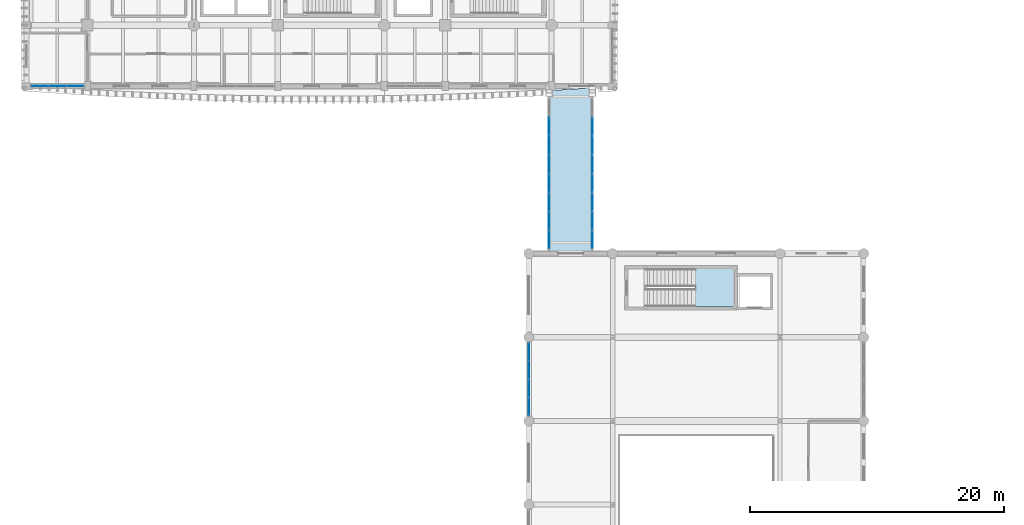
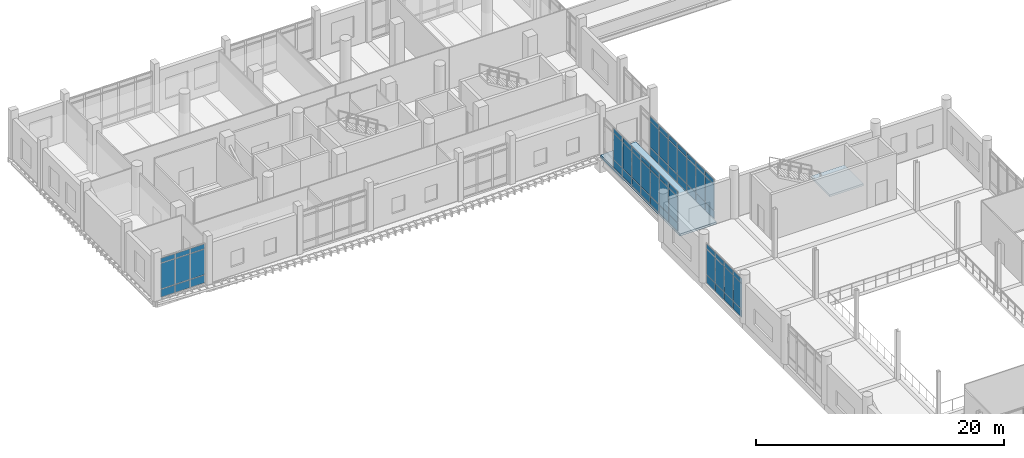
# One storey, part 51 of 101: 63 plates, 2 slabs, 5 elements without a shape of their own.
"""IFC4 building model written with IfcOpenShell, lengths in metres."""

from ifc_helpers import new_model, si_unit, direction, frame, origin, origin_2d, place, context, subcontext, project, spatial, polyline, rectangle, outline, extrude, material, layer, layer_set, type_object, element, aggregate, save


model = new_model("IFC4")

# Units and contexts
model_context = context("Model", 3, precision=1e-05, world=origin(), true_north=direction((0.0, 1.0)))
body_context = subcontext(model_context, "Body", "Model", "MODEL_VIEW")
ifc_project = project(units=[si_unit("LENGTHUNIT", "METRE"), si_unit("AREAUNIT", "SQUARE_METRE"), si_unit("VOLUMEUNIT", "CUBIC_METRE"), si_unit("PLANEANGLEUNIT", "RADIAN"), si_unit("MASSUNIT", "GRAM", prefix="KILO")], contexts=[model_context])

# Site, building, storey
site_placement = place(None, origin())
site = spatial("IfcSite", under=ifc_project, at=site_placement, CompositionType="ELEMENT")
building_placement = place(site_placement, origin())
building = spatial("IfcBuilding", under=site, at=building_placement, Name="Dornvale Research Institute", CompositionType="ELEMENT")
storey_placement = place(building_placement, frame((0.0, 0.0, 10.199951171875)))
storey = spatial("IfcBuildingStorey", under=building, at=storey_placement, Name="L02", CompositionType="ELEMENT", Elevation=10.199951171875)

# Curtain wall, plates
ifc_material_1 = material(Name="Low-E Argon Double Insulating Glazing Unit", Category="glass")
curtain_wall_type_1 = type_object("IfcCurtainWallType", Name="UnitisedCurtainWall_V2_5810x3950", PredefinedType="USERDEFINED", material=ifc_material_1)
curtain_wall_1_placement = place(storey_placement, origin())
curtain_wall_1 = element("IfcCurtainWall", 1, at=curtain_wall_1_placement, inside=storey, type_object=curtain_wall_type_1, Name="L02 V2 unitised curtain wall CW-02 #11", ObjectType="UNITISED CURTAIN WALL", PredefinedType="USERDEFINED")
ifc_material_2 = material(Name="Insulated Ceramic-Frit Spandrel Glass Panel", Category="glass")
ifc_layer_1 = layer(ifc_material_2, 0.0419921875)
ifc_layer_set_1 = layer_set([ifc_layer_1], Name="Insulated Ceramic-Frit Spandrel Glass Panel")
plate_type_1 = type_object("IfcPlateType", Name="CurtainPanel_Spandrel_42", PredefinedType="CURTAIN_PANEL", material=ifc_layer_set_1)
plate_1_placement = place(storey_placement, frame((39.60009765625, 73.737548828125, 0.065185546875), z_axis=(0.0, 0.0, 1.0), x_axis=(0.0, 1.0, 0.0)))
plate_1 = element("IfcPlate", 2, at=plate_1_placement, type_object=plate_type_1, Name="CW-02 panel 1.1", PredefinedType="CURTAIN_PANEL", context=body_context, shape_type="SweptSolid", body=[
    extrude(rectangle(XDim=1.35498046875, YDim=0.0419921875, at=origin_2d()), origin(), (0.0, 0.0, 1.0), 0.75244140625),
])
plate_2_placement = place(storey_placement, frame((39.60009765625, 75.173828125, 0.065185546875), z_axis=(0.0, 0.0, 1.0), x_axis=(0.0, 1.0, 0.0)))
plate_2 = element("IfcPlate", 3, at=plate_2_placement, type_object=plate_type_1, Name="CW-02 panel 2.1", PredefinedType="CURTAIN_PANEL", context=body_context, shape_type="SweptSolid", body=[
    extrude(rectangle(XDim=1.387451171875, YDim=0.0419921875, at=origin_2d()), origin(), (0.0, 0.0, 1.0), 0.75244140625),
])
plate_3_placement = place(storey_placement, frame((39.60009765625, 76.626220703125, 0.065185546875), z_axis=(0.0, 0.0, 1.0), x_axis=(0.0, 1.0, 0.0)))
plate_3 = element("IfcPlate", 4, at=plate_3_placement, type_object=plate_type_1, Name="CW-02 panel 3.1", PredefinedType="CURTAIN_PANEL", context=body_context, shape_type="SweptSolid", body=[
    extrude(rectangle(XDim=1.387451171875, YDim=0.0419921875, at=origin_2d()), origin(), (0.0, 0.0, 1.0), 0.75244140625),
])
plate_4_placement = place(storey_placement, frame((39.60009765625, 78.0625, 0.065185546875), z_axis=(0.0, 0.0, 1.0), x_axis=(0.0, 1.0, 0.0)))
plate_4 = element("IfcPlate", 5, at=plate_4_placement, type_object=plate_type_1, Name="CW-02 panel 4.1", PredefinedType="CURTAIN_PANEL", context=body_context, shape_type="SweptSolid", body=[
    extrude(rectangle(XDim=1.35498046875, YDim=0.0419921875, at=origin_2d()), origin(), (0.0, 0.0, 1.0), 0.75244140625),
])

ifc_material_3 = material(Name="Low-E Argon Double Insulating Glazing Unit", Category="glass")
curtain_wall_type_2 = type_object("IfcCurtainWallType", Name="UnitisedCurtainWall_V5_4200x3950", PredefinedType="USERDEFINED", material=ifc_material_3)
curtain_wall_2_placement = place(storey_placement, origin())
curtain_wall_2 = element("IfcCurtainWall", 6, at=curtain_wall_2_placement, inside=storey, type_object=curtain_wall_type_2, Name="L02 V5 unitised curtain wall CW-27 #147", ObjectType="UNITISED CURTAIN WALL", PredefinedType="USERDEFINED")
plate_5_placement = place(storey_placement, frame((3.833740234375, 99.0, 0.065185546875), z_axis=(0.0, 0.0, 1.0), x_axis=(-1.0, 0.0, 0.0)))
plate_5 = element("IfcPlate", 7, at=plate_5_placement, type_object=plate_type_1, Name="CW-27 panel 1.1", PredefinedType="CURTAIN_PANEL", context=body_context, shape_type="SweptSolid", body=[
    extrude(rectangle(XDim=1.302490234375, YDim=0.0419921875, at=origin_2d()), origin(), (0.0, 0.0, 1.0), 0.75244140625),
])
plate_6_placement = place(storey_placement, frame((2.449951171875, 99.0, 0.065185546875), z_axis=(0.0, 0.0, 1.0), x_axis=(-1.0, 0.0, 0.0)))
plate_6 = element("IfcPlate", 8, at=plate_6_placement, type_object=plate_type_1, Name="CW-27 panel 2.1", PredefinedType="CURTAIN_PANEL", context=body_context, shape_type="SweptSolid", body=[
    extrude(rectangle(XDim=1.3349609375, YDim=0.0419921875, at=origin_2d()), origin(), (0.0, 0.0, 1.0), 0.75244140625),
])
plate_7_placement = place(storey_placement, frame((1.066162109375, 99.0, 0.065185546875), z_axis=(0.0, 0.0, 1.0), x_axis=(-1.0, 0.0, 0.0)))
plate_7 = element("IfcPlate", 9, at=plate_7_placement, type_object=plate_type_1, Name="CW-27 panel 3.1", PredefinedType="CURTAIN_PANEL", context=body_context, shape_type="SweptSolid", body=[
    extrude(rectangle(XDim=1.302490234375, YDim=0.0419921875, at=origin_2d()), origin(), (0.0, 0.0, 1.0), 0.75244140625),
])

ifc_material_4 = material(Name="Low-E Argon Double Insulating Glazing Unit", Category="glass")
curtain_wall_type_3 = type_object("IfcCurtainWallType", Name="UnitisedCurtainWall_V2_11900x4000", PredefinedType="USERDEFINED", material=ifc_material_4)
curtain_wall_3_placement = place(storey_placement, origin())
curtain_wall_3 = element("IfcCurtainWall", 10, at=curtain_wall_3_placement, inside=storey, type_object=curtain_wall_type_3, Name="L02 V2 unitised curtain wall CW-40 #209", ObjectType="UNITISED CURTAIN WALL", PredefinedType="USERDEFINED")
plate_8_placement = place(storey_placement, frame((41.199951171875, 86.909912109375, 0.065185546875), z_axis=(0.0, 0.0, 1.0), x_axis=(0.0, 1.0, 0.0)))
plate_8 = element("IfcPlate", 11, at=plate_8_placement, type_object=plate_type_1, Name="CW-40 panel 1.1", PredefinedType="CURTAIN_PANEL", context=body_context, shape_type="SweptSolid", body=[
    extrude(rectangle(XDim=1.389892578125, YDim=0.0419921875, at=origin_2d()), origin(), (0.0, 0.0, 1.0), 0.75244140625),
])
plate_9_placement = place(storey_placement, frame((41.199951171875, 88.38134765625, 0.065185546875), z_axis=(0.0, 0.0, 1.0), x_axis=(0.0, 1.0, 0.0)))
plate_9 = element("IfcPlate", 12, at=plate_9_placement, type_object=plate_type_1, Name="CW-40 panel 2.1", PredefinedType="CURTAIN_PANEL", context=body_context, shape_type="SweptSolid", body=[
    extrude(rectangle(XDim=1.422607421875, YDim=0.0419921875, at=origin_2d()), origin(), (0.0, 0.0, 1.0), 0.75244140625),
])
plate_10_placement = place(storey_placement, frame((41.199951171875, 89.86865234375, 0.065185546875), z_axis=(0.0, 0.0, 1.0), x_axis=(0.0, 1.0, 0.0)))
plate_10 = element("IfcPlate", 13, at=plate_10_placement, type_object=plate_type_1, Name="CW-40 panel 3.1", PredefinedType="CURTAIN_PANEL", context=body_context, shape_type="SweptSolid", body=[
    extrude(rectangle(XDim=1.422607421875, YDim=0.0419921875, at=origin_2d()), origin(), (0.0, 0.0, 1.0), 0.75244140625),
])
plate_11_placement = place(storey_placement, frame((41.199951171875, 91.356201171875, 0.065185546875), z_axis=(0.0, 0.0, 1.0), x_axis=(0.0, 1.0, 0.0)))
plate_11 = element("IfcPlate", 14, at=plate_11_placement, type_object=plate_type_1, Name="CW-40 panel 4.1", PredefinedType="CURTAIN_PANEL", context=body_context, shape_type="SweptSolid", body=[
    extrude(rectangle(XDim=1.422607421875, YDim=0.0419921875, at=origin_2d()), origin(), (0.0, 0.0, 1.0), 0.75244140625),
])
plate_12_placement = place(storey_placement, frame((41.199951171875, 92.84375, 0.065185546875), z_axis=(0.0, 0.0, 1.0), x_axis=(0.0, 1.0, 0.0)))
plate_12 = element("IfcPlate", 15, at=plate_12_placement, type_object=plate_type_1, Name="CW-40 panel 5.1", PredefinedType="CURTAIN_PANEL", context=body_context, shape_type="SweptSolid", body=[
    extrude(rectangle(XDim=1.422607421875, YDim=0.0419921875, at=origin_2d()), origin(), (0.0, 0.0, 1.0), 0.75244140625),
])
plate_13_placement = place(storey_placement, frame((41.199951171875, 94.331298828125, 0.065185546875), z_axis=(0.0, 0.0, 1.0), x_axis=(0.0, 1.0, 0.0)))
plate_13 = element("IfcPlate", 16, at=plate_13_placement, type_object=plate_type_1, Name="CW-40 panel 6.1", PredefinedType="CURTAIN_PANEL", context=body_context, shape_type="SweptSolid", body=[
    extrude(rectangle(XDim=1.422607421875, YDim=0.0419921875, at=origin_2d()), origin(), (0.0, 0.0, 1.0), 0.75244140625),
])
plate_14_placement = place(storey_placement, frame((41.199951171875, 95.81884765625, 0.065185546875), z_axis=(0.0, 0.0, 1.0), x_axis=(0.0, 1.0, 0.0)))
plate_14 = element("IfcPlate", 17, at=plate_14_placement, type_object=plate_type_1, Name="CW-40 panel 7.1", PredefinedType="CURTAIN_PANEL", context=body_context, shape_type="SweptSolid", body=[
    extrude(rectangle(XDim=1.422607421875, YDim=0.0419921875, at=origin_2d()), origin(), (0.0, 0.0, 1.0), 0.75244140625),
])

curtain_wall_4_placement = place(storey_placement, origin())
curtain_wall_4 = element("IfcCurtainWall", 18, at=curtain_wall_4_placement, inside=storey, type_object=curtain_wall_type_3, Name="L02 V2 unitised curtain wall CW-40 #210", ObjectType="UNITISED CURTAIN WALL", PredefinedType="USERDEFINED")
plate_15_placement = place(storey_placement, frame((44.60009765625, 95.81884765625, 0.065185546875), z_axis=(0.0, 0.0, 1.0), x_axis=(0.0, -1.0, 0.0)))
plate_15 = element("IfcPlate", 19, at=plate_15_placement, type_object=plate_type_1, Name="CW-40 panel 2.1", PredefinedType="CURTAIN_PANEL", context=body_context, shape_type="SweptSolid", body=[
    extrude(rectangle(XDim=1.422607421875, YDim=0.0419921875, at=origin_2d()), origin(), (0.0, 0.0, 1.0), 0.75244140625),
])
plate_16_placement = place(storey_placement, frame((44.60009765625, 94.331298828125, 0.065185546875), z_axis=(0.0, 0.0, 1.0), x_axis=(0.0, -1.0, 0.0)))
plate_16 = element("IfcPlate", 20, at=plate_16_placement, type_object=plate_type_1, Name="CW-40 panel 3.1", PredefinedType="CURTAIN_PANEL", context=body_context, shape_type="SweptSolid", body=[
    extrude(rectangle(XDim=1.422607421875, YDim=0.0419921875, at=origin_2d()), origin(), (0.0, 0.0, 1.0), 0.75244140625),
])
plate_17_placement = place(storey_placement, frame((44.60009765625, 92.84375, 0.065185546875), z_axis=(0.0, 0.0, 1.0), x_axis=(0.0, -1.0, 0.0)))
plate_17 = element("IfcPlate", 21, at=plate_17_placement, type_object=plate_type_1, Name="CW-40 panel 4.1", PredefinedType="CURTAIN_PANEL", context=body_context, shape_type="SweptSolid", body=[
    extrude(rectangle(XDim=1.422607421875, YDim=0.0419921875, at=origin_2d()), origin(), (0.0, 0.0, 1.0), 0.75244140625),
])
plate_18_placement = place(storey_placement, frame((44.60009765625, 91.356201171875, 0.065185546875), z_axis=(0.0, 0.0, 1.0), x_axis=(0.0, -1.0, 0.0)))
plate_18 = element("IfcPlate", 22, at=plate_18_placement, type_object=plate_type_1, Name="CW-40 panel 5.1", PredefinedType="CURTAIN_PANEL", context=body_context, shape_type="SweptSolid", body=[
    extrude(rectangle(XDim=1.422607421875, YDim=0.0419921875, at=origin_2d()), origin(), (0.0, 0.0, 1.0), 0.75244140625),
])
plate_19_placement = place(storey_placement, frame((44.60009765625, 89.86865234375, 0.065185546875), z_axis=(0.0, 0.0, 1.0), x_axis=(0.0, -1.0, 0.0)))
plate_19 = element("IfcPlate", 23, at=plate_19_placement, type_object=plate_type_1, Name="CW-40 panel 6.1", PredefinedType="CURTAIN_PANEL", context=body_context, shape_type="SweptSolid", body=[
    extrude(rectangle(XDim=1.422607421875, YDim=0.0419921875, at=origin_2d()), origin(), (0.0, 0.0, 1.0), 0.75244140625),
])
plate_20_placement = place(storey_placement, frame((44.60009765625, 88.38134765625, 0.065185546875), z_axis=(0.0, 0.0, 1.0), x_axis=(0.0, -1.0, 0.0)))
plate_20 = element("IfcPlate", 24, at=plate_20_placement, type_object=plate_type_1, Name="CW-40 panel 7.1", PredefinedType="CURTAIN_PANEL", context=body_context, shape_type="SweptSolid", body=[
    extrude(rectangle(XDim=1.422607421875, YDim=0.0419921875, at=origin_2d()), origin(), (0.0, 0.0, 1.0), 0.75244140625),
])
plate_21_placement = place(storey_placement, frame((44.60009765625, 86.909912109375, 0.065185546875), z_axis=(0.0, 0.0, 1.0), x_axis=(0.0, -1.0, 0.0)))
plate_21 = element("IfcPlate", 25, at=plate_21_placement, type_object=plate_type_1, Name="CW-40 panel 8.1", PredefinedType="CURTAIN_PANEL", context=body_context, shape_type="SweptSolid", body=[
    extrude(rectangle(XDim=1.389892578125, YDim=0.0419921875, at=origin_2d()), origin(), (0.0, 0.0, 1.0), 0.75244140625),
])

# Plate
ifc_material_5 = material(Name="Low-E Argon Double Insulating Glazing Unit", Category="glass")
ifc_layer_2 = layer(ifc_material_5, 0.028076171875)
ifc_layer_set_2 = layer_set([ifc_layer_2], Name="Low-E Argon Double Insulating Glazing Unit")
plate_type_2 = type_object("IfcPlateType", Name="CurtainPanel_Vision_28", PredefinedType="CURTAIN_PANEL", material=ifc_layer_set_2)
plate_22_placement = place(storey_placement, frame((39.60009765625, 73.737548828125, 0.88232421875), z_axis=(0.0, 0.0, 1.0), x_axis=(0.0, 1.0, 0.0)))
plate_22 = element("IfcPlate", 26, at=plate_22_placement, type_object=plate_type_2, Name="CW-02 panel 1.2", PredefinedType="CURTAIN_PANEL", context=body_context, shape_type="SweptSolid", body=[
    extrude(rectangle(XDim=1.35498046875, YDim=0.028076171875, at=origin_2d()), origin(), (0.0, 0.0, 1.0), 2.485107421875),
])

plate_23_placement = place(storey_placement, frame((39.60009765625, 73.737548828125, 3.4326171875), z_axis=(0.0, 0.0, 1.0), x_axis=(0.0, 1.0, 0.0)))
plate_23 = element("IfcPlate", 27, at=plate_23_placement, type_object=plate_type_2, Name="CW-02 panel 1.3", PredefinedType="CURTAIN_PANEL", context=body_context, shape_type="SweptSolid", body=[
    extrude(rectangle(XDim=1.35498046875, YDim=0.028076171875, at=origin_2d()), origin(), (0.0, 0.0, 1.0), 0.452392578125),
])

plate_24_placement = place(storey_placement, frame((39.60009765625, 75.173828125, 0.88232421875), z_axis=(0.0, 0.0, 1.0), x_axis=(0.0, 1.0, 0.0)))
plate_24 = element("IfcPlate", 28, at=plate_24_placement, type_object=plate_type_2, Name="CW-02 panel 2.2", PredefinedType="CURTAIN_PANEL", context=body_context, shape_type="SweptSolid", body=[
    extrude(rectangle(XDim=1.387451171875, YDim=0.028076171875, at=origin_2d()), origin(), (0.0, 0.0, 1.0), 2.485107421875),
])

plate_25_placement = place(storey_placement, frame((39.60009765625, 75.173828125, 3.4326171875), z_axis=(0.0, 0.0, 1.0), x_axis=(0.0, 1.0, 0.0)))
plate_25 = element("IfcPlate", 29, at=plate_25_placement, type_object=plate_type_2, Name="CW-02 panel 2.3", PredefinedType="CURTAIN_PANEL", context=body_context, shape_type="SweptSolid", body=[
    extrude(rectangle(XDim=1.387451171875, YDim=0.028076171875, at=origin_2d()), origin(), (0.0, 0.0, 1.0), 0.452392578125),
])

plate_26_placement = place(storey_placement, frame((39.60009765625, 76.626220703125, 0.88232421875), z_axis=(0.0, 0.0, 1.0), x_axis=(0.0, 1.0, 0.0)))
plate_26 = element("IfcPlate", 30, at=plate_26_placement, type_object=plate_type_2, Name="CW-02 panel 3.2", PredefinedType="CURTAIN_PANEL", context=body_context, shape_type="SweptSolid", body=[
    extrude(rectangle(XDim=1.387451171875, YDim=0.028076171875, at=origin_2d()), origin(), (0.0, 0.0, 1.0), 2.485107421875),
])

plate_27_placement = place(storey_placement, frame((39.60009765625, 76.626220703125, 3.4326171875), z_axis=(0.0, 0.0, 1.0), x_axis=(0.0, 1.0, 0.0)))
plate_27 = element("IfcPlate", 31, at=plate_27_placement, type_object=plate_type_2, Name="CW-02 panel 3.3", PredefinedType="CURTAIN_PANEL", context=body_context, shape_type="SweptSolid", body=[
    extrude(rectangle(XDim=1.387451171875, YDim=0.028076171875, at=origin_2d()), origin(), (0.0, 0.0, 1.0), 0.452392578125),
])

plate_28_placement = place(storey_placement, frame((39.60009765625, 78.0625, 0.88232421875), z_axis=(0.0, 0.0, 1.0), x_axis=(0.0, 1.0, 0.0)))
plate_28 = element("IfcPlate", 32, at=plate_28_placement, type_object=plate_type_2, Name="CW-02 panel 4.2", PredefinedType="CURTAIN_PANEL", context=body_context, shape_type="SweptSolid", body=[
    extrude(rectangle(XDim=1.35498046875, YDim=0.028076171875, at=origin_2d()), origin(), (0.0, 0.0, 1.0), 2.485107421875),
])

plate_29_placement = place(storey_placement, frame((39.60009765625, 78.0625, 3.4326171875), z_axis=(0.0, 0.0, 1.0), x_axis=(0.0, 1.0, 0.0)))
plate_29 = element("IfcPlate", 33, at=plate_29_placement, type_object=plate_type_2, Name="CW-02 panel 4.3", PredefinedType="CURTAIN_PANEL", context=body_context, shape_type="SweptSolid", body=[
    extrude(rectangle(XDim=1.35498046875, YDim=0.028076171875, at=origin_2d()), origin(), (0.0, 0.0, 1.0), 0.452392578125),
])

aggregate(curtain_wall_1, [plate_1, plate_22, plate_23, plate_2, plate_24, plate_25, plate_3, plate_26, plate_27, plate_4, plate_28, plate_29])

plate_30_placement = place(storey_placement, frame((3.833740234375, 99.0, 0.88232421875), z_axis=(0.0, 0.0, 1.0), x_axis=(-1.0, 0.0, 0.0)))
plate_30 = element("IfcPlate", 34, at=plate_30_placement, type_object=plate_type_2, Name="CW-27 panel 1.2", PredefinedType="CURTAIN_PANEL", context=body_context, shape_type="SweptSolid", body=[
    extrude(rectangle(XDim=1.302490234375, YDim=0.028076171875, at=origin_2d()), origin(), (0.0, 0.0, 1.0), 2.485107421875),
])

plate_31_placement = place(storey_placement, frame((3.833740234375, 99.0, 3.4326171875), z_axis=(0.0, 0.0, 1.0), x_axis=(-1.0, 0.0, 0.0)))
plate_31 = element("IfcPlate", 35, at=plate_31_placement, type_object=plate_type_2, Name="CW-27 panel 1.3", PredefinedType="CURTAIN_PANEL", context=body_context, shape_type="SweptSolid", body=[
    extrude(rectangle(XDim=1.302490234375, YDim=0.028076171875, at=origin_2d()), origin(), (0.0, 0.0, 1.0), 0.452392578125),
])

plate_32_placement = place(storey_placement, frame((2.449951171875, 99.0, 0.88232421875), z_axis=(0.0, 0.0, 1.0), x_axis=(-1.0, 0.0, 0.0)))
plate_32 = element("IfcPlate", 36, at=plate_32_placement, type_object=plate_type_2, Name="CW-27 panel 2.2", PredefinedType="CURTAIN_PANEL", context=body_context, shape_type="SweptSolid", body=[
    extrude(rectangle(XDim=1.3349609375, YDim=0.028076171875, at=origin_2d()), origin(), (0.0, 0.0, 1.0), 2.485107421875),
])

plate_33_placement = place(storey_placement, frame((2.449951171875, 99.0, 3.4326171875), z_axis=(0.0, 0.0, 1.0), x_axis=(-1.0, 0.0, 0.0)))
plate_33 = element("IfcPlate", 37, at=plate_33_placement, type_object=plate_type_2, Name="CW-27 panel 2.3", PredefinedType="CURTAIN_PANEL", context=body_context, shape_type="SweptSolid", body=[
    extrude(rectangle(XDim=1.3349609375, YDim=0.028076171875, at=origin_2d()), origin(), (0.0, 0.0, 1.0), 0.452392578125),
])

plate_34_placement = place(storey_placement, frame((1.066162109375, 99.0, 0.88232421875), z_axis=(0.0, 0.0, 1.0), x_axis=(-1.0, 0.0, 0.0)))
plate_34 = element("IfcPlate", 38, at=plate_34_placement, type_object=plate_type_2, Name="CW-27 panel 3.2", PredefinedType="CURTAIN_PANEL", context=body_context, shape_type="SweptSolid", body=[
    extrude(rectangle(XDim=1.302490234375, YDim=0.028076171875, at=origin_2d()), origin(), (0.0, 0.0, 1.0), 2.485107421875),
])

plate_35_placement = place(storey_placement, frame((1.066162109375, 99.0, 3.4326171875), z_axis=(0.0, 0.0, 1.0), x_axis=(-1.0, 0.0, 0.0)))
plate_35 = element("IfcPlate", 39, at=plate_35_placement, type_object=plate_type_2, Name="CW-27 panel 3.3", PredefinedType="CURTAIN_PANEL", context=body_context, shape_type="SweptSolid", body=[
    extrude(rectangle(XDim=1.302490234375, YDim=0.028076171875, at=origin_2d()), origin(), (0.0, 0.0, 1.0), 0.452392578125),
])

aggregate(curtain_wall_2, [plate_5, plate_30, plate_31, plate_6, plate_32, plate_33, plate_7, plate_34, plate_35])

plate_36_placement = place(storey_placement, frame((41.199951171875, 86.909912109375, 0.8828125), z_axis=(0.0, 0.0, 1.0), x_axis=(0.0, 1.0, 0.0)))
plate_36 = element("IfcPlate", 40, at=plate_36_placement, type_object=plate_type_2, Name="CW-40 panel 1.2", PredefinedType="CURTAIN_PANEL", context=body_context, shape_type="SweptSolid", body=[
    extrude(rectangle(XDim=1.389892578125, YDim=0.028076171875, at=origin_2d()), origin(), (0.0, 0.0, 1.0), 2.534912109375),
])

plate_37_placement = place(storey_placement, frame((41.199951171875, 86.909912109375, 3.482421875), z_axis=(0.0, 0.0, 1.0), x_axis=(0.0, 1.0, 0.0)))
plate_37 = element("IfcPlate", 41, at=plate_37_placement, type_object=plate_type_2, Name="CW-40 panel 1.3", PredefinedType="CURTAIN_PANEL", context=body_context, shape_type="SweptSolid", body=[
    extrude(rectangle(XDim=1.389892578125, YDim=0.028076171875, at=origin_2d()), origin(), (0.0, 0.0, 1.0), 0.452392578125),
])

plate_38_placement = place(storey_placement, frame((41.199951171875, 88.38134765625, 0.8828125), z_axis=(0.0, 0.0, 1.0), x_axis=(0.0, 1.0, 0.0)))
plate_38 = element("IfcPlate", 42, at=plate_38_placement, type_object=plate_type_2, Name="CW-40 panel 2.2", PredefinedType="CURTAIN_PANEL", context=body_context, shape_type="SweptSolid", body=[
    extrude(rectangle(XDim=1.422607421875, YDim=0.028076171875, at=origin_2d()), origin(), (0.0, 0.0, 1.0), 2.534912109375),
])

plate_39_placement = place(storey_placement, frame((41.199951171875, 88.38134765625, 3.482421875), z_axis=(0.0, 0.0, 1.0), x_axis=(0.0, 1.0, 0.0)))
plate_39 = element("IfcPlate", 43, at=plate_39_placement, type_object=plate_type_2, Name="CW-40 panel 2.3", PredefinedType="CURTAIN_PANEL", context=body_context, shape_type="SweptSolid", body=[
    extrude(rectangle(XDim=1.422607421875, YDim=0.028076171875, at=origin_2d()), origin(), (0.0, 0.0, 1.0), 0.452392578125),
])

plate_40_placement = place(storey_placement, frame((41.199951171875, 89.86865234375, 0.8828125), z_axis=(0.0, 0.0, 1.0), x_axis=(0.0, 1.0, 0.0)))
plate_40 = element("IfcPlate", 44, at=plate_40_placement, type_object=plate_type_2, Name="CW-40 panel 3.2", PredefinedType="CURTAIN_PANEL", context=body_context, shape_type="SweptSolid", body=[
    extrude(rectangle(XDim=1.422607421875, YDim=0.028076171875, at=origin_2d()), origin(), (0.0, 0.0, 1.0), 2.534912109375),
])

plate_41_placement = place(storey_placement, frame((41.199951171875, 89.86865234375, 3.482421875), z_axis=(0.0, 0.0, 1.0), x_axis=(0.0, 1.0, 0.0)))
plate_41 = element("IfcPlate", 45, at=plate_41_placement, type_object=plate_type_2, Name="CW-40 panel 3.3", PredefinedType="CURTAIN_PANEL", context=body_context, shape_type="SweptSolid", body=[
    extrude(rectangle(XDim=1.422607421875, YDim=0.028076171875, at=origin_2d()), origin(), (0.0, 0.0, 1.0), 0.452392578125),
])

plate_42_placement = place(storey_placement, frame((41.199951171875, 91.356201171875, 0.8828125), z_axis=(0.0, 0.0, 1.0), x_axis=(0.0, 1.0, 0.0)))
plate_42 = element("IfcPlate", 46, at=plate_42_placement, type_object=plate_type_2, Name="CW-40 panel 4.2", PredefinedType="CURTAIN_PANEL", context=body_context, shape_type="SweptSolid", body=[
    extrude(rectangle(XDim=1.422607421875, YDim=0.028076171875, at=origin_2d()), origin(), (0.0, 0.0, 1.0), 2.534912109375),
])

plate_43_placement = place(storey_placement, frame((41.199951171875, 91.356201171875, 3.482421875), z_axis=(0.0, 0.0, 1.0), x_axis=(0.0, 1.0, 0.0)))
plate_43 = element("IfcPlate", 47, at=plate_43_placement, type_object=plate_type_2, Name="CW-40 panel 4.3", PredefinedType="CURTAIN_PANEL", context=body_context, shape_type="SweptSolid", body=[
    extrude(rectangle(XDim=1.422607421875, YDim=0.028076171875, at=origin_2d()), origin(), (0.0, 0.0, 1.0), 0.452392578125),
])

plate_44_placement = place(storey_placement, frame((41.199951171875, 92.84375, 0.8828125), z_axis=(0.0, 0.0, 1.0), x_axis=(0.0, 1.0, 0.0)))
plate_44 = element("IfcPlate", 48, at=plate_44_placement, type_object=plate_type_2, Name="CW-40 panel 5.2", PredefinedType="CURTAIN_PANEL", context=body_context, shape_type="SweptSolid", body=[
    extrude(rectangle(XDim=1.422607421875, YDim=0.028076171875, at=origin_2d()), origin(), (0.0, 0.0, 1.0), 2.534912109375),
])

plate_45_placement = place(storey_placement, frame((41.199951171875, 92.84375, 3.482421875), z_axis=(0.0, 0.0, 1.0), x_axis=(0.0, 1.0, 0.0)))
plate_45 = element("IfcPlate", 49, at=plate_45_placement, type_object=plate_type_2, Name="CW-40 panel 5.3", PredefinedType="CURTAIN_PANEL", context=body_context, shape_type="SweptSolid", body=[
    extrude(rectangle(XDim=1.422607421875, YDim=0.028076171875, at=origin_2d()), origin(), (0.0, 0.0, 1.0), 0.452392578125),
])

plate_46_placement = place(storey_placement, frame((41.199951171875, 94.331298828125, 0.8828125), z_axis=(0.0, 0.0, 1.0), x_axis=(0.0, 1.0, 0.0)))
plate_46 = element("IfcPlate", 50, at=plate_46_placement, type_object=plate_type_2, Name="CW-40 panel 6.2", PredefinedType="CURTAIN_PANEL", context=body_context, shape_type="SweptSolid", body=[
    extrude(rectangle(XDim=1.422607421875, YDim=0.028076171875, at=origin_2d()), origin(), (0.0, 0.0, 1.0), 2.534912109375),
])

plate_47_placement = place(storey_placement, frame((41.199951171875, 94.331298828125, 3.482421875), z_axis=(0.0, 0.0, 1.0), x_axis=(0.0, 1.0, 0.0)))
plate_47 = element("IfcPlate", 51, at=plate_47_placement, type_object=plate_type_2, Name="CW-40 panel 6.3", PredefinedType="CURTAIN_PANEL", context=body_context, shape_type="SweptSolid", body=[
    extrude(rectangle(XDim=1.422607421875, YDim=0.028076171875, at=origin_2d()), origin(), (0.0, 0.0, 1.0), 0.452392578125),
])

plate_48_placement = place(storey_placement, frame((41.199951171875, 95.81884765625, 0.8828125), z_axis=(0.0, 0.0, 1.0), x_axis=(0.0, 1.0, 0.0)))
plate_48 = element("IfcPlate", 52, at=plate_48_placement, type_object=plate_type_2, Name="CW-40 panel 7.2", PredefinedType="CURTAIN_PANEL", context=body_context, shape_type="SweptSolid", body=[
    extrude(rectangle(XDim=1.422607421875, YDim=0.028076171875, at=origin_2d()), origin(), (0.0, 0.0, 1.0), 2.534912109375),
])

plate_49_placement = place(storey_placement, frame((41.199951171875, 95.81884765625, 3.482421875), z_axis=(0.0, 0.0, 1.0), x_axis=(0.0, 1.0, 0.0)))
plate_49 = element("IfcPlate", 53, at=plate_49_placement, type_object=plate_type_2, Name="CW-40 panel 7.3", PredefinedType="CURTAIN_PANEL", context=body_context, shape_type="SweptSolid", body=[
    extrude(rectangle(XDim=1.422607421875, YDim=0.028076171875, at=origin_2d()), origin(), (0.0, 0.0, 1.0), 0.452392578125),
])

aggregate(curtain_wall_3, [plate_8, plate_36, plate_37, plate_9, plate_38, plate_39, plate_10, plate_40, plate_41, plate_11, plate_42, plate_43, plate_12, plate_44, plate_45, plate_13, plate_46, plate_47, plate_14, plate_48, plate_49])

plate_50_placement = place(storey_placement, frame((44.60009765625, 95.81884765625, 0.8828125), z_axis=(0.0, 0.0, 1.0), x_axis=(0.0, -1.0, 0.0)))
plate_50 = element("IfcPlate", 54, at=plate_50_placement, type_object=plate_type_2, Name="CW-40 panel 2.2", PredefinedType="CURTAIN_PANEL", context=body_context, shape_type="SweptSolid", body=[
    extrude(rectangle(XDim=1.422607421875, YDim=0.028076171875, at=origin_2d()), origin(), (0.0, 0.0, 1.0), 2.534912109375),
])

plate_51_placement = place(storey_placement, frame((44.60009765625, 95.81884765625, 3.482421875), z_axis=(0.0, 0.0, 1.0), x_axis=(0.0, -1.0, 0.0)))
plate_51 = element("IfcPlate", 55, at=plate_51_placement, type_object=plate_type_2, Name="CW-40 panel 2.3", PredefinedType="CURTAIN_PANEL", context=body_context, shape_type="SweptSolid", body=[
    extrude(rectangle(XDim=1.422607421875, YDim=0.028076171875, at=origin_2d()), origin(), (0.0, 0.0, 1.0), 0.452392578125),
])

plate_52_placement = place(storey_placement, frame((44.60009765625, 94.331298828125, 0.8828125), z_axis=(0.0, 0.0, 1.0), x_axis=(0.0, -1.0, 0.0)))
plate_52 = element("IfcPlate", 56, at=plate_52_placement, type_object=plate_type_2, Name="CW-40 panel 3.2", PredefinedType="CURTAIN_PANEL", context=body_context, shape_type="SweptSolid", body=[
    extrude(rectangle(XDim=1.422607421875, YDim=0.028076171875, at=origin_2d()), origin(), (0.0, 0.0, 1.0), 2.534912109375),
])

plate_53_placement = place(storey_placement, frame((44.60009765625, 94.331298828125, 3.482421875), z_axis=(0.0, 0.0, 1.0), x_axis=(0.0, -1.0, 0.0)))
plate_53 = element("IfcPlate", 57, at=plate_53_placement, type_object=plate_type_2, Name="CW-40 panel 3.3", PredefinedType="CURTAIN_PANEL", context=body_context, shape_type="SweptSolid", body=[
    extrude(rectangle(XDim=1.422607421875, YDim=0.028076171875, at=origin_2d()), origin(), (0.0, 0.0, 1.0), 0.452392578125),
])

plate_54_placement = place(storey_placement, frame((44.60009765625, 92.84375, 0.8828125), z_axis=(0.0, 0.0, 1.0), x_axis=(0.0, -1.0, 0.0)))
plate_54 = element("IfcPlate", 58, at=plate_54_placement, type_object=plate_type_2, Name="CW-40 panel 4.2", PredefinedType="CURTAIN_PANEL", context=body_context, shape_type="SweptSolid", body=[
    extrude(rectangle(XDim=1.422607421875, YDim=0.028076171875, at=origin_2d()), origin(), (0.0, 0.0, 1.0), 2.534912109375),
])

plate_55_placement = place(storey_placement, frame((44.60009765625, 92.84375, 3.482421875), z_axis=(0.0, 0.0, 1.0), x_axis=(0.0, -1.0, 0.0)))
plate_55 = element("IfcPlate", 59, at=plate_55_placement, type_object=plate_type_2, Name="CW-40 panel 4.3", PredefinedType="CURTAIN_PANEL", context=body_context, shape_type="SweptSolid", body=[
    extrude(rectangle(XDim=1.422607421875, YDim=0.028076171875, at=origin_2d()), origin(), (0.0, 0.0, 1.0), 0.452392578125),
])

plate_56_placement = place(storey_placement, frame((44.60009765625, 91.356201171875, 0.8828125), z_axis=(0.0, 0.0, 1.0), x_axis=(0.0, -1.0, 0.0)))
plate_56 = element("IfcPlate", 60, at=plate_56_placement, type_object=plate_type_2, Name="CW-40 panel 5.2", PredefinedType="CURTAIN_PANEL", context=body_context, shape_type="SweptSolid", body=[
    extrude(rectangle(XDim=1.422607421875, YDim=0.028076171875, at=origin_2d()), origin(), (0.0, 0.0, 1.0), 2.534912109375),
])

plate_57_placement = place(storey_placement, frame((44.60009765625, 91.356201171875, 3.482421875), z_axis=(0.0, 0.0, 1.0), x_axis=(0.0, -1.0, 0.0)))
plate_57 = element("IfcPlate", 61, at=plate_57_placement, type_object=plate_type_2, Name="CW-40 panel 5.3", PredefinedType="CURTAIN_PANEL", context=body_context, shape_type="SweptSolid", body=[
    extrude(rectangle(XDim=1.422607421875, YDim=0.028076171875, at=origin_2d()), origin(), (0.0, 0.0, 1.0), 0.452392578125),
])

plate_58_placement = place(storey_placement, frame((44.60009765625, 89.86865234375, 0.8828125), z_axis=(0.0, 0.0, 1.0), x_axis=(0.0, -1.0, 0.0)))
plate_58 = element("IfcPlate", 62, at=plate_58_placement, type_object=plate_type_2, Name="CW-40 panel 6.2", PredefinedType="CURTAIN_PANEL", context=body_context, shape_type="SweptSolid", body=[
    extrude(rectangle(XDim=1.422607421875, YDim=0.028076171875, at=origin_2d()), origin(), (0.0, 0.0, 1.0), 2.534912109375),
])

plate_59_placement = place(storey_placement, frame((44.60009765625, 89.86865234375, 3.482421875), z_axis=(0.0, 0.0, 1.0), x_axis=(0.0, -1.0, 0.0)))
plate_59 = element("IfcPlate", 63, at=plate_59_placement, type_object=plate_type_2, Name="CW-40 panel 6.3", PredefinedType="CURTAIN_PANEL", context=body_context, shape_type="SweptSolid", body=[
    extrude(rectangle(XDim=1.422607421875, YDim=0.028076171875, at=origin_2d()), origin(), (0.0, 0.0, 1.0), 0.452392578125),
])

plate_60_placement = place(storey_placement, frame((44.60009765625, 88.38134765625, 0.8828125), z_axis=(0.0, 0.0, 1.0), x_axis=(0.0, -1.0, 0.0)))
plate_60 = element("IfcPlate", 64, at=plate_60_placement, type_object=plate_type_2, Name="CW-40 panel 7.2", PredefinedType="CURTAIN_PANEL", context=body_context, shape_type="SweptSolid", body=[
    extrude(rectangle(XDim=1.422607421875, YDim=0.028076171875, at=origin_2d()), origin(), (0.0, 0.0, 1.0), 2.534912109375),
])

plate_61_placement = place(storey_placement, frame((44.60009765625, 88.38134765625, 3.482421875), z_axis=(0.0, 0.0, 1.0), x_axis=(0.0, -1.0, 0.0)))
plate_61 = element("IfcPlate", 65, at=plate_61_placement, type_object=plate_type_2, Name="CW-40 panel 7.3", PredefinedType="CURTAIN_PANEL", context=body_context, shape_type="SweptSolid", body=[
    extrude(rectangle(XDim=1.422607421875, YDim=0.028076171875, at=origin_2d()), origin(), (0.0, 0.0, 1.0), 0.452392578125),
])

plate_62_placement = place(storey_placement, frame((44.60009765625, 86.909912109375, 0.8828125), z_axis=(0.0, 0.0, 1.0), x_axis=(0.0, -1.0, 0.0)))
plate_62 = element("IfcPlate", 66, at=plate_62_placement, type_object=plate_type_2, Name="CW-40 panel 8.2", PredefinedType="CURTAIN_PANEL", context=body_context, shape_type="SweptSolid", body=[
    extrude(rectangle(XDim=1.389892578125, YDim=0.028076171875, at=origin_2d()), origin(), (0.0, 0.0, 1.0), 2.534912109375),
])

plate_63_placement = place(storey_placement, frame((44.60009765625, 86.909912109375, 3.482421875), z_axis=(0.0, 0.0, 1.0), x_axis=(0.0, -1.0, 0.0)))
plate_63 = element("IfcPlate", 67, at=plate_63_placement, type_object=plate_type_2, Name="CW-40 panel 8.3", PredefinedType="CURTAIN_PANEL", context=body_context, shape_type="SweptSolid", body=[
    extrude(rectangle(XDim=1.389892578125, YDim=0.028076171875, at=origin_2d()), origin(), (0.0, 0.0, 1.0), 0.452392578125),
])

aggregate(curtain_wall_4, [plate_15, plate_50, plate_51, plate_16, plate_52, plate_53, plate_17, plate_54, plate_55, plate_18, plate_56, plate_57, plate_19, plate_58, plate_59, plate_20, plate_60, plate_61, plate_21, plate_62, plate_63])

# Slab
ifc_material_6 = material(Name="Concrete f'c 45 MPa (C35/45)", Category="concrete")
ifc_layer_3 = layer(ifc_material_6, 0.219970703125)
ifc_layer_set_3 = layer_set([ifc_layer_3], Name="Concrete f'c 45 MPa (C35/45)")
slab_type_1 = type_object("IfcSlabType", Name="FloorSlab_Bridge_220", PredefinedType="FLOOR", material=ifc_layer_set_3)
slab_1_placement = place(storey_placement, frame((0.0, 0.0, -0.219970703125)))
element("IfcSlab", 68, at=slab_1_placement, inside=storey, type_object=slab_type_1, Name="L02 link bridge deck BR-4", PredefinedType="FLOOR", context=body_context, shape_type="SweptSolid", body=[
    extrude(outline(polyline([(41.199951171875, 85.820068359375), (41.199951171875, 98.65185546875), (41.251220703125, 98.65478515625), (41.251220703125, 98.65478515625), (42.901123046875, 98.75439453125), (42.9013671875, 98.75439453125), (44.55126953125, 98.86279296875), (44.551513671875, 98.863037109375), (44.60009765625, 98.866455078125), (44.60009765625, 85.820068359375), (41.199951171875, 85.820068359375)])), origin(), (0.0, 0.0, 1.0), 0.219970703125),
])

# Stair, slab
ifc_material_7 = material(Name="Concrete f'c 45 MPa (C35/45)", Category="concrete")
stair_type = type_object("IfcStairType", Name="HalfTurnStair_RC_Secondary", PredefinedType="HALF_TURN_STAIR", material=ifc_material_7)
stair_placement = place(storey_placement, origin())
stair = element("IfcStair", 69, at=stair_placement, inside=storey, type_object=stair_type, Name="L02 Exit stair ST-8", PredefinedType="HALF_TURN_STAIR")
ifc_material_8 = material(Name="Concrete f'c 45 MPa (C35/45)", Category="concrete")
ifc_layer_4 = layer(ifc_material_8, 0.199951171875)
ifc_layer_set_4 = layer_set([ifc_layer_4], Name="Concrete f'c 45 MPa (C35/45)")
slab_type_2 = type_object("IfcSlabType", Name="Landing_Stair_200", PredefinedType="LANDING", material=ifc_layer_set_4)
slab_2_placement = place(storey_placement, frame((0.0, 0.0, 2.199951171875)))
slab_2 = element("IfcSlab", 70, at=slab_2_placement, type_object=slab_type_2, Name="ST-8 landing 1", PredefinedType="LANDING", context=body_context, shape_type="SweptSolid", body=[
    extrude(outline(polyline([(52.68994140625, 81.570068359375), (52.68994140625, 84.6298828125), (55.830078125, 84.6298828125), (55.830078125, 81.570068359375), (52.68994140625, 81.570068359375)])), origin(), (0.0, 0.0, 1.0), 0.2001953125),
])
aggregate(stair, [slab_2])

save(model, "model.ifc")
